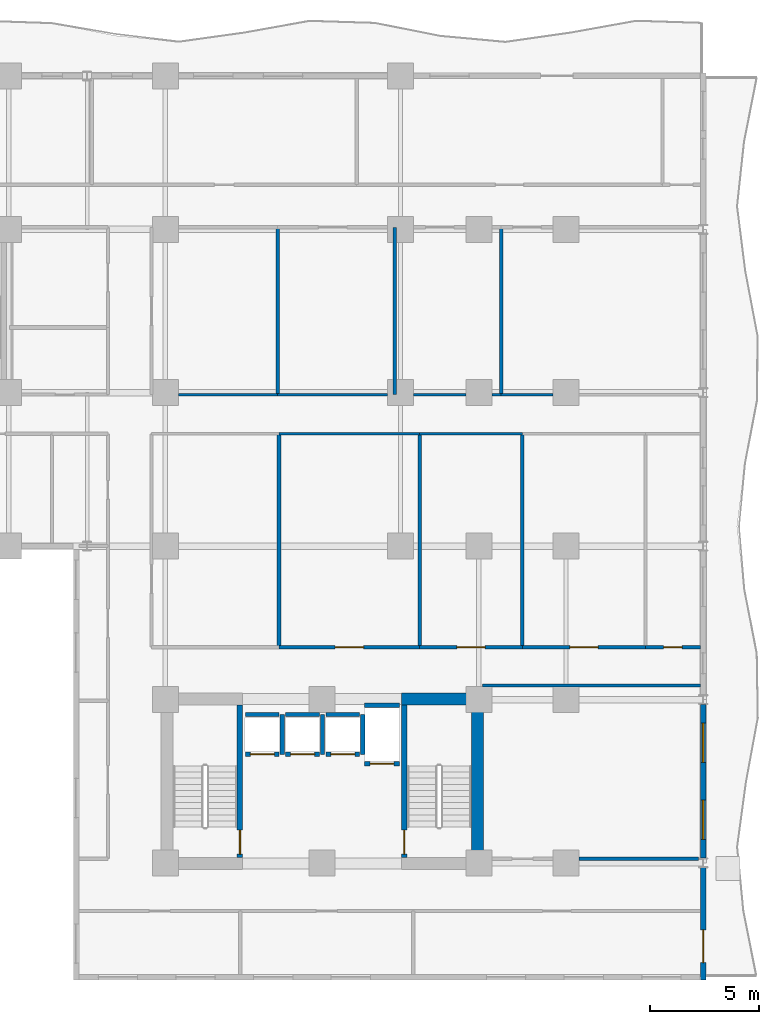
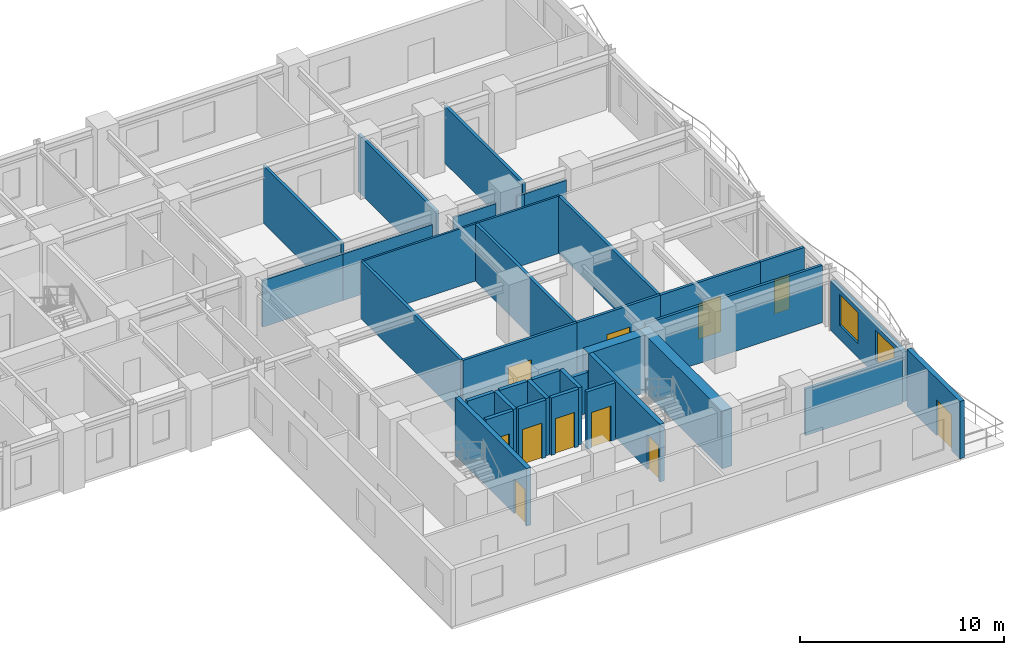
# One storey, part 5 of 11: 36 walls, 11 doors, 2 windows, 13 openings.
"""IFC4 building model written with IfcOpenShell, lengths in metres."""

from ifc_helpers import new_model, si_unit, direction, frame, frame_2d, origin, place, context, subcontext, project, spatial, rectangle, extrude, material, layer, layer_set, type_object, element, fill, save


model = new_model("IFC4")

# Units and contexts
model_context = context("Model", 3, precision=1e-05, world=origin(), true_north=direction((0.0, 1.0)))
body_context = subcontext(model_context, "Body", "Model", "MODEL_VIEW")
ifc_project = project(units=[si_unit("LENGTHUNIT", "METRE"), si_unit("AREAUNIT", "SQUARE_METRE"), si_unit("VOLUMEUNIT", "CUBIC_METRE"), si_unit("PLANEANGLEUNIT", "RADIAN"), si_unit("MASSUNIT", "GRAM", prefix="KILO")], contexts=[model_context])

# Site, building, storey
site_placement = place(None, origin())
site = spatial("IfcSite", under=ifc_project, at=site_placement, CompositionType="ELEMENT")
building_placement = place(site_placement, origin())
building = spatial("IfcBuilding", under=site, at=building_placement, Name="Kaliganga Portal Commons", CompositionType="ELEMENT")
storey_placement = place(building_placement, frame((0.0, 0.0, 100.800048828125)))
storey = spatial("IfcBuildingStorey", under=building, at=storey_placement, Name="L25", CompositionType="ELEMENT", Elevation=100.800048828125)

# Walls
ifc_material_1 = material(Name="Concrete C60/75", Category="concrete")
ifc_layer_1 = layer(ifc_material_1, 0.550048828125)
ifc_layer_set_1 = layer_set([ifc_layer_1], Name="Concrete C60/75")
wall_type_1 = type_object("IfcWallType", Name="WL-CORE-550", PredefinedType="SHEAR", material=ifc_layer_set_1)
wall_1_placement = place(storey_placement, frame((50.324951171875, 6.75, 0.0), z_axis=(0.0, 0.0, 1.0), x_axis=(0.0, 1.0, 0.0)))
element("IfcWall", 1, at=wall_1_placement, inside=storey, type_object=wall_type_1, Name="Core B East Shear Wall L25", PredefinedType="SHEAR", context=body_context, shape_type="SweptSolid", body=[
    extrude(rectangle(XDim=8.10009765625, YDim=0.550048828125, at=frame_2d((4.050048828125, 0.0))), origin(), (0.0, 0.0, 1.0), 3.449951171875),
])
wall_2_placement = place(storey_placement, frame((46.85009765625, 14.574951171875, 0.0), z_axis=(0.0, 0.0, 1.0), x_axis=(1.0, 0.0, 0.0)))
element("IfcWall", 2, at=wall_2_placement, inside=storey, type_object=wall_type_1, Name="Core B N-East Shear Wall L25", PredefinedType="SHEAR", context=body_context, shape_type="SweptSolid", body=[
    extrude(rectangle(XDim=3.199951171875, YDim=0.550048828125, at=frame_2d((1.60009765625, 0.0))), origin(), (0.0, 0.0, 1.0), 3.449951171875),
])

# Wall, opening, door
ifc_material_2 = material(Name="Insulated Aluminium-Clad Spandrel Assembly", Category="aluminium")
ifc_layer_2 = layer(ifc_material_2, 0.260009765625)
ifc_layer_set_2 = layer_set([ifc_layer_2], Name="Insulated Aluminium-Clad Spandrel Assembly")
wall_type_2 = type_object("IfcWallType", Name="WL-EXT-SPAND-260", PredefinedType="STANDARD", material=ifc_layer_set_2)
wall_3_placement = place(storey_placement, frame((60.699951171875, 6.833984375, 0.0), z_axis=(0.0, 0.0, 1.0), x_axis=(0.0, -1.0, 0.0)))
wall_3 = element("IfcWall", 3, at=wall_3_placement, inside=storey, type_object=wall_type_2, Name="Exterior Envelope Wall L25 P1-E01-S1", PredefinedType="STANDARD", context=body_context, shape_type="SweptSolid", body=[
    extrude(rectangle(XDim=5.1640625, YDim=0.260009765625, at=frame_2d((2.58203125, 0.0))), origin(), (0.0, 0.0, 1.0), 3.429931640625),
])
opening_1_placement = place(wall_3_placement, frame((2.864990234375, 0.0, 0.0)))
opening_1 = element("IfcOpeningElement", 4, at=opening_1_placement, cuts=wall_3, Name="Opening BD-01", PredefinedType="OPENING", context=body_context, shape_type="SweptSolid", body=[
    extrude(rectangle(XDim=1.5, YDim=2.14990234375, at=frame_2d((0.75, 1.074951171875))), frame((0.0, 0.14013671875, 0.0), z_axis=(0.0, -1.0, 0.0), x_axis=(1.0, 0.0, 0.0)), (0.0, 0.0, 1.0), 0.280029296875),
])
ifc_material_3 = material(Name="Anodized Aluminium and Laminated Safety Glass", Category="aluminium")
door_type_1 = type_object("IfcDoorType", Name="DR-BALC-1500", OperationType="SLIDING_TO_LEFT", PredefinedType="DOOR", material=ifc_material_3)
door_1_placement = place(opening_1_placement, origin())
door_1 = element("IfcDoor", 5, at=door_1_placement, inside=storey, type_object=door_type_1, Name="Balcony Sliding Door L25 balc_east", OperationType="SLIDING_TO_LEFT", OverallHeight=2.14990234375, OverallWidth=1.5, PredefinedType="DOOR", context=body_context, shape_type="SweptSolid", body=[
    extrude(rectangle(XDim=1.5, YDim=2.14990234375, at=frame_2d((0.75, 1.074951171875))), frame((0.0, 0.02490234375, 0.0), z_axis=(0.0, -1.0, 0.0), x_axis=(1.0, 0.0, 0.0)), (0.0, 0.0, 1.0), 0.050048828125),
])
fill(opening_1, door_1)

# Wall, openings, windows
wall_4_placement = place(storey_placement, frame((60.699951171875, 14.333984375, 0.0), z_axis=(0.0, 0.0, 1.0), x_axis=(0.0, -1.0, 0.0)))
wall_4 = element("IfcWall", 6, at=wall_4_placement, inside=storey, type_object=wall_type_2, Name="Exterior Envelope Wall L25 P1-E01-S2", PredefinedType="STANDARD", context=body_context, shape_type="SweptSolid", body=[
    extrude(rectangle(XDim=7.06787109375, YDim=0.260009765625, at=frame_2d((3.533935546875, 0.0))), origin(), (0.0, 0.0, 1.0), 2.97998046875),
])
opening_2_placement = place(wall_4_placement, frame((0.866943359375, 0.0, 0.85009765625)))
opening_2 = element("IfcOpeningElement", 7, at=opening_2_placement, cuts=wall_4, Name="Opening W-01", PredefinedType="OPENING", context=body_context, shape_type="SweptSolid", body=[
    extrude(rectangle(XDim=1.800048828125, YDim=1.85009765625, at=frame_2d((0.89990234375, 0.925048828125))), frame((0.0, 0.14013671875, 0.0), z_axis=(0.0, -1.0, 0.0), x_axis=(1.0, 0.0, 0.0)), (0.0, 0.0, 1.0), 0.280029296875),
])
opening_3_placement = place(wall_4_placement, frame((4.40087890625, 0.0, 0.85009765625)))
opening_3 = element("IfcOpeningElement", 8, at=opening_3_placement, cuts=wall_4, Name="Opening W-01", PredefinedType="OPENING", context=body_context, shape_type="SweptSolid", body=[
    extrude(rectangle(XDim=1.800048828125, YDim=1.85009765625, at=frame_2d((0.89990234375, 0.925048828125))), frame((0.0, 0.14013671875, 0.0), z_axis=(0.0, -1.0, 0.0), x_axis=(1.0, 0.0, 0.0)), (0.0, 0.0, 1.0), 0.280029296875),
])
ifc_material_4 = material(Name="Thermally Broken Aluminium and Low-E Double Glazing", Category="aluminium")
window_type = type_object("IfcWindowType", Name="WIN-STD-1800", PartitioningType="DOUBLE_PANEL_VERTICAL", PredefinedType="WINDOW", material=ifc_material_4)
window_1_placement = place(opening_2_placement, origin())
window_1 = element("IfcWindow", 9, at=window_1_placement, inside=storey, type_object=window_type, Name="Facade Window L25-P1E01S2-00", OverallHeight=1.85009765625, OverallWidth=1.800048828125, PartitioningType="SINGLE_PANEL", PredefinedType="WINDOW", context=body_context, shape_type="SweptSolid", body=[
    extrude(rectangle(XDim=1.800048828125, YDim=1.85009765625, at=frame_2d((0.89990234375, 0.925048828125))), frame((0.0, 0.030029296875, 0.0), z_axis=(0.0, -1.0, 0.0), x_axis=(1.0, 0.0, 0.0)), (0.0, 0.0, 1.0), 0.06005859375),
])
fill(opening_2, window_1)
window_2_placement = place(opening_3_placement, origin())
window_2 = element("IfcWindow", 10, at=window_2_placement, inside=storey, type_object=window_type, Name="Facade Window L25-P1E01S2-01", OverallHeight=1.85009765625, OverallWidth=1.800048828125, PartitioningType="SINGLE_PANEL", PredefinedType="WINDOW", context=body_context, shape_type="SweptSolid", body=[
    extrude(rectangle(XDim=1.800048828125, YDim=1.85009765625, at=frame_2d((0.89990234375, 0.925048828125))), frame((0.0, 0.030029296875, 0.0), z_axis=(0.0, -1.0, 0.0), x_axis=(1.0, 0.0, 0.0)), (0.0, 0.0, 1.0), 0.06005859375),
])
fill(opening_3, window_2)

# Walls
ifc_material_5 = material(Name="Fire-Rated Gypsum Board on Steel Stud", Category="steel")
ifc_layer_3 = layer(ifc_material_5, 0.14990234375)
ifc_layer_set_3 = layer_set([ifc_layer_3], Name="Fire-Rated Gypsum Board on Steel Stud")
wall_type_3 = type_object("IfcWallType", Name="WL-PART-CORR-150", PredefinedType="PARTITIONING", material=ifc_layer_set_3)
wall_5_placement = place(storey_placement, frame((55.0, 7.239990234375, 0.0), z_axis=(0.0, 0.0, 1.0), x_axis=(1.0, 0.0, 0.0)))
element("IfcWall", 11, at=wall_5_placement, inside=storey, type_object=wall_type_3, Name="Interior Partition L25-011", PredefinedType="PARTITIONING", context=body_context, shape_type="SweptSolid", body=[
    extrude(rectangle(XDim=5.49560546875, YDim=0.14990234375, at=frame_2d((2.747802734375, 0.0))), origin(), (0.0, 0.0, 1.0), 2.780029296875),
])
wall_6_placement = place(storey_placement, frame((50.56005859375, 15.199951171875, 0.0), z_axis=(0.0, 0.0, 1.0), x_axis=(1.0, 0.0, 0.0)))
element("IfcWall", 12, at=wall_6_placement, inside=storey, type_object=wall_type_3, Name="Interior Partition L25-012", PredefinedType="PARTITIONING", context=body_context, shape_type="SweptSolid", body=[
    extrude(rectangle(XDim=10.008056640625, YDim=0.14990234375, at=frame_2d((5.00390625, 0.0))), origin(), (0.0, 0.0, 1.0), 3.429931640625),
])

# Wall, opening, door
wall_7_placement = place(storey_placement, frame((41.219970703125, 16.9599609375, 0.0), z_axis=(0.0, 0.0, 1.0), x_axis=(1.0, 0.0, 0.0)))
wall_7 = element("IfcWall", 13, at=wall_7_placement, inside=storey, type_object=wall_type_3, Name="Interior Partition L25-024", PredefinedType="PARTITIONING", context=body_context, shape_type="SweptSolid", body=[
    extrude(rectangle(XDim=6.4599609375, YDim=0.14990234375, at=frame_2d((3.22998046875, 0.0))), origin(), (0.0, 0.0, 1.0), 3.429931640625),
])
opening_4_placement = place(wall_7_placement, frame((2.580078125, 0.0, 0.0)))
opening_4 = element("IfcOpeningElement", 14, at=opening_4_placement, cuts=wall_7, Name="Opening RD-03", PredefinedType="OPENING", context=body_context, shape_type="SweptSolid", body=[
    extrude(rectangle(XDim=1.300048828125, YDim=2.1201171875, at=frame_2d((0.64990234375, 1.06005859375))), frame((0.0, 0.0849609375, 0.0), z_axis=(0.0, -1.0, 0.0), x_axis=(1.0, 0.0, 0.0)), (0.0, 0.0, 1.0), 0.169921875),
])
ifc_material_6 = material(Name="Glazed Timber Seminar Vision Door", Category="wood")
door_type_2 = type_object("IfcDoorType", Name="DR-STUDY-1300", OperationType="DOUBLE_DOOR_SINGLE_SWING", PredefinedType="DOOR", material=ifc_material_6)
door_2_placement = place(opening_4_placement, origin())
door_2 = element("IfcDoor", 15, at=door_2_placement, inside=storey, type_object=door_type_2, Name="Interior Door L25-BM02", OperationType="DOUBLE_DOOR_SINGLE_SWING", OverallHeight=2.1201171875, OverallWidth=1.300048828125, PredefinedType="DOOR", context=body_context, shape_type="SweptSolid", body=[
    extrude(rectangle(XDim=1.300048828125, YDim=2.1201171875, at=frame_2d((0.64990234375, 1.06005859375))), frame((0.0, 0.02490234375, 0.0), z_axis=(0.0, -1.0, 0.0), x_axis=(1.0, 0.0, 0.0)), (0.0, 0.0, 1.0), 0.050048828125),
])
fill(opening_4, door_2)

wall_8_placement = place(storey_placement, frame((52.39990234375, 16.9599609375, 0.0), z_axis=(0.0, 0.0, 1.0), x_axis=(1.0, 0.0, 0.0)))
wall_8 = element("IfcWall", 16, at=wall_8_placement, inside=storey, type_object=wall_type_3, Name="Interior Partition L25-029", PredefinedType="PARTITIONING", context=body_context, shape_type="SweptSolid", body=[
    extrude(rectangle(XDim=5.66015625, YDim=0.14990234375, at=frame_2d((2.830078125, 0.0))), origin(), (0.0, 0.0, 1.0), 3.429931640625),
])
opening_5_placement = place(wall_8_placement, frame((2.179931640625, 0.0, 0.0)))
opening_5 = element("IfcOpeningElement", 17, at=opening_5_placement, cuts=wall_8, Name="Opening RD-03", PredefinedType="OPENING", context=body_context, shape_type="SweptSolid", body=[
    extrude(rectangle(XDim=1.300048828125, YDim=2.1201171875, at=frame_2d((0.64990234375, 1.06005859375))), frame((0.0, 0.0849609375, 0.0), z_axis=(0.0, -1.0, 0.0), x_axis=(1.0, 0.0, 0.0)), (0.0, 0.0, 1.0), 0.169921875),
])
door_3_placement = place(opening_5_placement, origin())
door_3 = element("IfcDoor", 18, at=door_3_placement, inside=storey, type_object=door_type_2, Name="Interior Door L25-BM03B", OperationType="DOUBLE_DOOR_SINGLE_SWING", OverallHeight=2.1201171875, OverallWidth=1.300048828125, PredefinedType="DOOR", context=body_context, shape_type="SweptSolid", body=[
    extrude(rectangle(XDim=1.300048828125, YDim=2.1201171875, at=frame_2d((0.64990234375, 1.06005859375))), frame((0.0, 0.02490234375, 0.0), z_axis=(0.0, -1.0, 0.0), x_axis=(1.0, 0.0, 0.0)), (0.0, 0.0, 1.0), 0.050048828125),
])
fill(opening_5, door_3)

wall_9_placement = place(storey_placement, frame((47.679931640625, 16.9599609375, 0.0), z_axis=(0.0, 0.0, 1.0), x_axis=(1.0, 0.0, 0.0)))
wall_9 = element("IfcWall", 19, at=wall_9_placement, inside=storey, type_object=wall_type_3, Name="Interior Partition L25-035", PredefinedType="PARTITIONING", context=body_context, shape_type="SweptSolid", body=[
    extrude(rectangle(XDim=4.719970703125, YDim=0.14990234375, at=frame_2d((2.35986328125, 0.0))), origin(), (0.0, 0.0, 1.0), 3.429931640625),
])
opening_6_placement = place(wall_9_placement, frame((1.7099609375, 0.0, 0.0)))
opening_6 = element("IfcOpeningElement", 20, at=opening_6_placement, cuts=wall_9, Name="Opening RD-03", PredefinedType="OPENING", context=body_context, shape_type="SweptSolid", body=[
    extrude(rectangle(XDim=1.300048828125, YDim=2.1201171875, at=frame_2d((0.64990234375, 1.06005859375))), frame((0.0, 0.0849609375, 0.0), z_axis=(0.0, -1.0, 0.0), x_axis=(1.0, 0.0, 0.0)), (0.0, 0.0, 1.0), 0.169921875),
])
door_4_placement = place(opening_6_placement, origin())
door_4 = element("IfcDoor", 21, at=door_4_placement, inside=storey, type_object=door_type_2, Name="Interior Door L25-BM03", OperationType="DOUBLE_DOOR_SINGLE_SWING", OverallHeight=2.1201171875, OverallWidth=1.300048828125, PredefinedType="DOOR", context=body_context, shape_type="SweptSolid", body=[
    extrude(rectangle(XDim=1.300048828125, YDim=2.1201171875, at=frame_2d((0.64990234375, 1.06005859375))), frame((0.0, 0.02490234375, 0.0), z_axis=(0.0, -1.0, 0.0), x_axis=(1.0, 0.0, 0.0)), (0.0, 0.0, 1.0), 0.050048828125),
])
fill(opening_6, door_4)

wall_10_placement = place(storey_placement, frame((58.06005859375, 16.9599609375, 0.0), z_axis=(0.0, 0.0, 1.0), x_axis=(1.0, 0.0, 0.0)))
wall_10 = element("IfcWall", 22, at=wall_10_placement, inside=storey, type_object=wall_type_3, Name="Interior Partition L25-042", PredefinedType="PARTITIONING", context=body_context, shape_type="SweptSolid", body=[
    extrude(rectangle(XDim=2.508056640625, YDim=0.14990234375, at=frame_2d((1.25390625, 0.0))), origin(), (0.0, 0.0, 1.0), 3.429931640625),
])
opening_7_placement = place(wall_10_placement, frame((0.8291015625, 0.0, 0.0)))
opening_7 = element("IfcOpeningElement", 23, at=opening_7_placement, cuts=wall_10, Name="Opening WD-01", PredefinedType="OPENING", context=body_context, shape_type="SweptSolid", body=[
    extrude(rectangle(XDim=0.85009765625, YDim=2.0400390625, at=frame_2d((0.425048828125, 1.02001953125))), frame((0.0, 0.0849609375, 0.0), z_axis=(0.0, -1.0, 0.0), x_axis=(1.0, 0.0, 0.0)), (0.0, 0.0, 1.0), 0.169921875),
])
ifc_material_7 = material(Name="Moisture-Resistant Laminate Timber Door", Category="wood")
door_type_3 = type_object("IfcDoorType", Name="DR-WET-850", OperationType="NOTDEFINED", PredefinedType="DOOR", material=ifc_material_7)
door_5_placement = place(opening_7_placement, origin())
door_5 = element("IfcDoor", 24, at=door_5_placement, inside=storey, type_object=door_type_3, Name="Interior Door L25-BM04", OperationType="SINGLE_SWING_RIGHT", OverallHeight=2.0400390625, OverallWidth=0.85009765625, PredefinedType="DOOR", context=body_context, shape_type="SweptSolid", body=[
    extrude(rectangle(XDim=0.85009765625, YDim=2.0400390625, at=frame_2d((0.425048828125, 1.02001953125))), frame((0.0, 0.02490234375, 0.0), z_axis=(0.0, -1.0, 0.0), x_axis=(1.0, 0.0, 0.0)), (0.0, 0.0, 1.0), 0.050048828125),
])
fill(opening_7, door_5)

# Walls
ifc_material_8 = material(Name="Moisture-Resistant Gypsum Partition", Category="gypsum")
ifc_layer_4 = layer(ifc_material_8, 0.114990234375)
ifc_layer_set_4 = layer_set([ifc_layer_4], Name="Moisture-Resistant Gypsum Partition")
wall_type_4 = type_object("IfcWallType", Name="WL-PART-ROOM-115", PredefinedType="PARTITIONING", material=ifc_layer_set_4)
wall_11_placement = place(storey_placement, frame((51.419921875, 28.56005859375, 0.0), z_axis=(0.0, 0.0, 1.0), x_axis=(1.0, 0.0, 0.0)))
element("IfcWall", 25, at=wall_11_placement, inside=storey, type_object=wall_type_4, Name="Interior Partition L25-052", PredefinedType="PARTITIONING", context=body_context, shape_type="SweptSolid", body=[
    extrude(rectangle(XDim=2.380126953125, YDim=0.114990234375, at=frame_2d((1.18994140625, 0.0))), origin(), (0.0, 0.0, 1.0), 2.780029296875),
])
wall_12_placement = place(storey_placement, frame((41.219970703125, 26.760009765625, 0.0), z_axis=(0.0, 0.0, 1.0), x_axis=(1.0, 0.0, 0.0)))
element("IfcWall", 26, at=wall_12_placement, inside=storey, type_object=wall_type_4, Name="Interior Partition L25-057", PredefinedType="PARTITIONING", context=body_context, shape_type="SweptSolid", body=[
    extrude(rectangle(XDim=6.4599609375, YDim=0.114990234375, at=frame_2d((3.22998046875, 0.0))), origin(), (0.0, 0.0, 1.0), 3.429931640625),
])
wall_13_placement = place(storey_placement, frame((36.60009765625, 28.56005859375, 0.0), z_axis=(0.0, 0.0, 1.0), x_axis=(1.0, 0.0, 0.0)))
element("IfcWall", 27, at=wall_13_placement, inside=storey, type_object=wall_type_4, Name="Interior Partition L25-059", PredefinedType="PARTITIONING", context=body_context, shape_type="SweptSolid", body=[
    extrude(rectangle(XDim=4.559814453125, YDim=0.114990234375, at=frame_2d((2.27978515625, 0.0))), origin(), (0.0, 0.0, 1.0), 2.780029296875),
])
wall_14_placement = place(storey_placement, frame((41.159912109375, 28.56005859375, 0.0), z_axis=(0.0, 0.0, 1.0), x_axis=(1.0, 0.0, 0.0)))
element("IfcWall", 28, at=wall_14_placement, inside=storey, type_object=wall_type_4, Name="Interior Partition L25-061", PredefinedType="PARTITIONING", context=body_context, shape_type="SweptSolid", body=[
    extrude(rectangle(XDim=5.0400390625, YDim=0.114990234375, at=frame_2d((2.52001953125, 0.0))), origin(), (0.0, 0.0, 1.0), 2.780029296875),
])
wall_15_placement = place(storey_placement, frame((47.39990234375, 28.56005859375, 0.0), z_axis=(0.0, 0.0, 1.0), x_axis=(1.0, 0.0, 0.0)))
element("IfcWall", 29, at=wall_15_placement, inside=storey, type_object=wall_type_4, Name="Interior Partition L25-070", PredefinedType="PARTITIONING", context=body_context, shape_type="SweptSolid", body=[
    extrude(rectangle(XDim=2.400146484375, YDim=0.114990234375, at=frame_2d((1.2001953125, 0.0))), origin(), (0.0, 0.0, 1.0), 2.780029296875),
])
wall_16_placement = place(storey_placement, frame((51.0, 28.56005859375, 0.0), z_axis=(0.0, 0.0, 1.0), x_axis=(1.0, 0.0, 0.0)))
element("IfcWall", 30, at=wall_16_placement, inside=storey, type_object=wall_type_4, Name="Interior Partition L25-071", PredefinedType="PARTITIONING", context=body_context, shape_type="SweptSolid", body=[
    extrude(rectangle(XDim=0.419921875, YDim=0.114990234375, at=frame_2d((0.2099609375, 0.0))), origin(), (0.0, 0.0, 1.0), 2.780029296875),
])
wall_17_placement = place(storey_placement, frame((47.679931640625, 26.760009765625, 0.0), z_axis=(0.0, 0.0, 1.0), x_axis=(1.0, 0.0, 0.0)))
element("IfcWall", 31, at=wall_17_placement, inside=storey, type_object=wall_type_4, Name="Interior Partition L25-072", PredefinedType="PARTITIONING", context=body_context, shape_type="SweptSolid", body=[
    extrude(rectangle(XDim=4.719970703125, YDim=0.114990234375, at=frame_2d((2.35986328125, 0.0))), origin(), (0.0, 0.0, 1.0), 3.429931640625),
])
ifc_material_9 = material(Name="Twin-Stud Acoustic Gypsum Partition", Category="gypsum")
ifc_layer_5 = layer(ifc_material_9, 0.1650390625)
ifc_layer_set_5 = layer_set([ifc_layer_5], Name="Twin-Stud Acoustic Gypsum Partition")
wall_type_5 = type_object("IfcWallType", Name="WL-PART-UNIT-165", PredefinedType="PARTITIONING", material=ifc_layer_set_5)
for number, where, z_axis, x_axis, name in (
    (32, (41.219970703125, 16.9599609375, 0.0), (0.0, 0.0, 1.0), (0.0, 1.0, 0.0), "Interior Partition L25-048"),
    (33, (47.679931640625, 16.9599609375, 0.0), (0.0, 0.0, 1.0), (0.0, 1.0, 0.0), "Interior Partition L25-049"),
    (34, (52.39990234375, 16.9599609375, 0.0), (0.0, 0.0, 1.0), (0.0, 1.0, 0.0), "Interior Partition L25-050"),
):
    element("IfcWall", number, at=place(storey_placement, frame(where, z_axis=z_axis, x_axis=x_axis)), inside=storey, type_object=wall_type_5, Name=name, PredefinedType="PARTITIONING", context=body_context, shape_type="SweptSolid", body=[
        extrude(rectangle(XDim=9.800048828125, YDim=0.1650390625, at=frame_2d((4.89990234375, 0.0))), origin(), (0.0, 0.0, 1.0), 3.429931640625),
    ])
for number, where, z_axis, x_axis, name in (
    (35, (41.159912109375, 28.56005859375, 0.0), (0.0, 0.0, 1.0), (0.0, 1.0, 0.0), "Interior Partition L25-054"),
    (36, (46.5400390625, 28.56005859375, 0.0), (0.0, 0.0, 1.0), (0.0, 1.0, 0.0), "Interior Partition L25-055"),
    (37, (51.419921875, 28.56005859375, 0.0), (0.0, 0.0, 1.0), (0.0, 1.0, 0.0), "Interior Partition L25-056"),
):
    element("IfcWall", number, at=place(storey_placement, frame(where, z_axis=z_axis, x_axis=x_axis)), inside=storey, type_object=wall_type_5, Name=name, PredefinedType="PARTITIONING", context=body_context, shape_type="SweptSolid", body=[
        extrude(rectangle(XDim=7.679931640625, YDim=0.1650390625, at=frame_2d((3.83984375, 0.0))), origin(), (0.0, 0.0, 1.0), 3.429931640625),
    ])

# Wall, opening, door
ifc_material_10 = material(Name="Fire-Rated Shaftwall Masonry Assembly", Category="masonry")
ifc_layer_6 = layer(ifc_material_10, 0.199951171875)
ifc_layer_set_6 = layer_set([ifc_layer_6], Name="Fire-Rated Shaftwall Masonry Assembly")
wall_type_6 = type_object("IfcWallType", Name="WL-SHAFT-200", PredefinedType="PARTITIONING", material=ifc_layer_set_6)
wall_18_placement = place(storey_placement, frame((39.675048828125, 12.034912109375, 0.0), z_axis=(0.0, 0.0, 1.0), x_axis=(1.0, 0.0, 0.0)))
wall_18 = element("IfcWall", 38, at=wall_18_placement, inside=storey, type_object=wall_type_6, Name="Lift PL-B1 Hoistway Shaft Wall L25-S", PredefinedType="PARTITIONING", context=body_context, shape_type="SweptSolid", body=[
    extrude(rectangle(XDim=1.550048828125, YDim=0.199951171875, at=frame_2d((0.77490234375, 0.0))), origin(), (0.0, 0.0, 1.0), 3.429931640625),
])
opening_8_placement = place(wall_18_placement, frame((0.22509765625, 0.0, 0.0)))
opening_8 = element("IfcOpeningElement", 39, at=opening_8_placement, cuts=wall_18, Name="Opening LD-01", PredefinedType="OPENING", context=body_context, shape_type="SweptSolid", body=[
    extrude(rectangle(XDim=1.10009765625, YDim=2.1201171875, at=frame_2d((0.550048828125, 1.06005859375))), frame((0.0, 0.10986328125, 0.0), z_axis=(0.0, -1.0, 0.0), x_axis=(1.0, 0.0, 0.0)), (0.0, 0.0, 1.0), 0.219970703125),
])
ifc_material_11 = material(Name="Brushed Stainless Steel 316 Lift Landing Door", Category="steel")
door_type_4 = type_object("IfcDoorType", Name="DR-LIFT-1100", OperationType="SLIDING_TO_LEFT", PredefinedType="DOOR", material=ifc_material_11)
door_6_placement = place(opening_8_placement, origin())
door_6 = element("IfcDoor", 40, at=door_6_placement, inside=storey, type_object=door_type_4, Name="Lift PL-B1 Sliding Landing Door L25", OperationType="SLIDING_TO_LEFT", OverallHeight=2.1201171875, OverallWidth=1.10009765625, PredefinedType="DOOR", context=body_context, shape_type="SweptSolid", body=[
    extrude(rectangle(XDim=1.10009765625, YDim=2.1201171875, at=frame_2d((0.550048828125, 1.06005859375))), frame((0.0, 0.02490234375, 0.0), z_axis=(0.0, -1.0, 0.0), x_axis=(1.0, 0.0, 0.0)), (0.0, 0.0, 1.0), 0.050048828125),
])
fill(opening_8, door_6)

# Walls
wall_19_placement = place(storey_placement, frame((39.675048828125, 13.864990234375, 0.0), z_axis=(0.0, 0.0, 1.0), x_axis=(1.0, 0.0, 0.0)))
element("IfcWall", 41, at=wall_19_placement, inside=storey, type_object=wall_type_6, Name="Lift PL-B1 Hoistway Shaft Wall L25-N", PredefinedType="PARTITIONING", context=body_context, shape_type="SweptSolid", body=[
    extrude(rectangle(XDim=1.550048828125, YDim=0.199951171875, at=frame_2d((0.77490234375, 0.0))), origin(), (0.0, 0.0, 1.0), 3.429931640625),
])
wall_20_placement = place(storey_placement, frame((41.364990234375, 12.034912109375, 0.0), z_axis=(0.0, 0.0, 1.0), x_axis=(0.0, 1.0, 0.0)))
element("IfcWall", 42, at=wall_20_placement, inside=storey, type_object=wall_type_6, Name="Lift PL-B1 Hoistway Shaft Wall L25-E", PredefinedType="PARTITIONING", context=body_context, shape_type="SweptSolid", body=[
    extrude(rectangle(XDim=1.830078125, YDim=0.199951171875, at=frame_2d((0.9150390625, 0.0))), origin(), (0.0, 0.0, 1.0), 3.429931640625),
])

# Wall, opening, door
wall_21_placement = place(storey_placement, frame((41.52490234375, 12.034912109375, 0.0), z_axis=(0.0, 0.0, 1.0), x_axis=(1.0, 0.0, 0.0)))
wall_21 = element("IfcWall", 43, at=wall_21_placement, inside=storey, type_object=wall_type_6, Name="Lift PL-B2 Hoistway Shaft Wall L25-S", PredefinedType="PARTITIONING", context=body_context, shape_type="SweptSolid", body=[
    extrude(rectangle(XDim=1.550048828125, YDim=0.199951171875, at=frame_2d((0.77490234375, 0.0))), origin(), (0.0, 0.0, 1.0), 3.429931640625),
])
opening_9_placement = place(wall_21_placement, frame((0.22509765625, 0.0, 0.0)))
opening_9 = element("IfcOpeningElement", 44, at=opening_9_placement, cuts=wall_21, Name="Opening LD-01", PredefinedType="OPENING", context=body_context, shape_type="SweptSolid", body=[
    extrude(rectangle(XDim=1.10009765625, YDim=2.1201171875, at=frame_2d((0.550048828125, 1.06005859375))), frame((0.0, 0.10986328125, 0.0), z_axis=(0.0, -1.0, 0.0), x_axis=(1.0, 0.0, 0.0)), (0.0, 0.0, 1.0), 0.219970703125),
])
door_7_placement = place(opening_9_placement, origin())
door_7 = element("IfcDoor", 45, at=door_7_placement, inside=storey, type_object=door_type_4, Name="Lift PL-B2 Sliding Landing Door L25", OperationType="SLIDING_TO_LEFT", OverallHeight=2.1201171875, OverallWidth=1.10009765625, PredefinedType="DOOR", context=body_context, shape_type="SweptSolid", body=[
    extrude(rectangle(XDim=1.10009765625, YDim=2.1201171875, at=frame_2d((0.550048828125, 1.06005859375))), frame((0.0, 0.02490234375, 0.0), z_axis=(0.0, -1.0, 0.0), x_axis=(1.0, 0.0, 0.0)), (0.0, 0.0, 1.0), 0.050048828125),
])
fill(opening_9, door_7)

# Walls
wall_22_placement = place(storey_placement, frame((41.52490234375, 13.864990234375, 0.0), z_axis=(0.0, 0.0, 1.0), x_axis=(1.0, 0.0, 0.0)))
element("IfcWall", 46, at=wall_22_placement, inside=storey, type_object=wall_type_6, Name="Lift PL-B2 Hoistway Shaft Wall L25-N", PredefinedType="PARTITIONING", context=body_context, shape_type="SweptSolid", body=[
    extrude(rectangle(XDim=1.550048828125, YDim=0.199951171875, at=frame_2d((0.77490234375, 0.0))), origin(), (0.0, 0.0, 1.0), 3.429931640625),
])
wall_23_placement = place(storey_placement, frame((43.215087890625, 12.034912109375, 0.0), z_axis=(0.0, 0.0, 1.0), x_axis=(0.0, 1.0, 0.0)))
element("IfcWall", 47, at=wall_23_placement, inside=storey, type_object=wall_type_6, Name="Lift PL-B2 Hoistway Shaft Wall L25-E", PredefinedType="PARTITIONING", context=body_context, shape_type="SweptSolid", body=[
    extrude(rectangle(XDim=1.830078125, YDim=0.199951171875, at=frame_2d((0.9150390625, 0.0))), origin(), (0.0, 0.0, 1.0), 3.429931640625),
])

# Wall, opening, door
wall_24_placement = place(storey_placement, frame((43.375, 12.034912109375, 0.0), z_axis=(0.0, 0.0, 1.0), x_axis=(1.0, 0.0, 0.0)))
wall_24 = element("IfcWall", 48, at=wall_24_placement, inside=storey, type_object=wall_type_6, Name="Lift SH-2 Hoistway Shaft Wall L25-S", PredefinedType="PARTITIONING", context=body_context, shape_type="SweptSolid", body=[
    extrude(rectangle(XDim=1.550048828125, YDim=0.199951171875, at=frame_2d((0.77490234375, 0.0))), origin(), (0.0, 0.0, 1.0), 3.429931640625),
])
opening_10_placement = place(wall_24_placement, frame((0.22509765625, 0.0, 0.0)))
opening_10 = element("IfcOpeningElement", 49, at=opening_10_placement, cuts=wall_24, Name="Opening LD-01", PredefinedType="OPENING", context=body_context, shape_type="SweptSolid", body=[
    extrude(rectangle(XDim=1.10009765625, YDim=2.1201171875, at=frame_2d((0.550048828125, 1.06005859375))), frame((0.0, 0.10986328125, 0.0), z_axis=(0.0, -1.0, 0.0), x_axis=(1.0, 0.0, 0.0)), (0.0, 0.0, 1.0), 0.219970703125),
])
door_8_placement = place(opening_10_placement, origin())
door_8 = element("IfcDoor", 50, at=door_8_placement, inside=storey, type_object=door_type_4, Name="Lift SH-2 Sliding Landing Door L25", OperationType="SLIDING_TO_LEFT", OverallHeight=2.1201171875, OverallWidth=1.10009765625, PredefinedType="DOOR", context=body_context, shape_type="SweptSolid", body=[
    extrude(rectangle(XDim=1.10009765625, YDim=2.1201171875, at=frame_2d((0.550048828125, 1.06005859375))), frame((0.0, 0.02490234375, 0.0), z_axis=(0.0, -1.0, 0.0), x_axis=(1.0, 0.0, 0.0)), (0.0, 0.0, 1.0), 0.050048828125),
])
fill(opening_10, door_8)

# Walls
wall_25_placement = place(storey_placement, frame((43.375, 13.864990234375, 0.0), z_axis=(0.0, 0.0, 1.0), x_axis=(1.0, 0.0, 0.0)))
element("IfcWall", 51, at=wall_25_placement, inside=storey, type_object=wall_type_6, Name="Lift SH-2 Hoistway Shaft Wall L25-N", PredefinedType="PARTITIONING", context=body_context, shape_type="SweptSolid", body=[
    extrude(rectangle(XDim=1.550048828125, YDim=0.199951171875, at=frame_2d((0.77490234375, 0.0))), origin(), (0.0, 0.0, 1.0), 3.429931640625),
])
wall_26_placement = place(storey_placement, frame((45.06494140625, 12.034912109375, 0.0), z_axis=(0.0, 0.0, 1.0), x_axis=(0.0, 1.0, 0.0)))
element("IfcWall", 52, at=wall_26_placement, inside=storey, type_object=wall_type_6, Name="Lift SH-2 Hoistway Shaft Wall L25-E", PredefinedType="PARTITIONING", context=body_context, shape_type="SweptSolid", body=[
    extrude(rectangle(XDim=1.830078125, YDim=0.199951171875, at=frame_2d((0.9150390625, 0.0))), origin(), (0.0, 0.0, 1.0), 3.429931640625),
])

# Wall, opening, door
wall_27_placement = place(storey_placement, frame((45.14990234375, 11.610107421875, 0.0), z_axis=(0.0, 0.0, 1.0), x_axis=(1.0, 0.0, 0.0)))
wall_27 = element("IfcWall", 53, at=wall_27_placement, inside=storey, type_object=wall_type_6, Name="Lift SL-B1 Hoistway Shaft Wall L25-S", PredefinedType="PARTITIONING", context=body_context, shape_type="SweptSolid", body=[
    extrude(rectangle(XDim=1.60009765625, YDim=0.199951171875, at=frame_2d((0.800048828125, 0.0))), origin(), (0.0, 0.0, 1.0), 3.429931640625),
])
opening_11_placement = place(wall_27_placement, frame((0.25, 0.0, 0.0)))
opening_11 = element("IfcOpeningElement", 54, at=opening_11_placement, cuts=wall_27, Name="Opening LD-01", PredefinedType="OPENING", context=body_context, shape_type="SweptSolid", body=[
    extrude(rectangle(XDim=1.10009765625, YDim=2.1201171875, at=frame_2d((0.550048828125, 1.06005859375))), frame((0.0, 0.10986328125, 0.0), z_axis=(0.0, -1.0, 0.0), x_axis=(1.0, 0.0, 0.0)), (0.0, 0.0, 1.0), 0.219970703125),
])
door_9_placement = place(opening_11_placement, origin())
door_9 = element("IfcDoor", 55, at=door_9_placement, inside=storey, type_object=door_type_4, Name="Lift SL-B1 Sliding Landing Door L25", OperationType="SLIDING_TO_LEFT", OverallHeight=2.1201171875, OverallWidth=1.10009765625, PredefinedType="DOOR", context=body_context, shape_type="SweptSolid", body=[
    extrude(rectangle(XDim=1.10009765625, YDim=2.1201171875, at=frame_2d((0.550048828125, 1.06005859375))), frame((0.0, 0.02490234375, 0.0), z_axis=(0.0, -1.0, 0.0), x_axis=(1.0, 0.0, 0.0)), (0.0, 0.0, 1.0), 0.050048828125),
])
fill(opening_11, door_9)

# Wall
wall_28_placement = place(storey_placement, frame((45.14990234375, 14.2900390625, 0.0), z_axis=(0.0, 0.0, 1.0), x_axis=(1.0, 0.0, 0.0)))
element("IfcWall", 56, at=wall_28_placement, inside=storey, type_object=wall_type_6, Name="Lift SL-B1 Hoistway Shaft Wall L25-N", PredefinedType="PARTITIONING", context=body_context, shape_type="SweptSolid", body=[
    extrude(rectangle(XDim=1.60009765625, YDim=0.199951171875, at=frame_2d((0.800048828125, 0.0))), origin(), (0.0, 0.0, 1.0), 2.429931640625),
])

# Wall, opening, door
ifc_material_12 = material(Name="Concrete C50/60", Category="concrete")
ifc_layer_7 = layer(ifc_material_12, 0.25)
ifc_layer_set_7 = layer_set([ifc_layer_7], Name="Concrete C50/60")
wall_type_7 = type_object("IfcWallType", Name="WL-STAIR-250", PredefinedType="SHEAR", material=ifc_layer_set_7)
wall_29_placement = place(storey_placement, frame((39.425048828125, 7.300048828125, 0.0), z_axis=(0.0, 0.0, 1.0), x_axis=(0.0, 1.0, 0.0)))
wall_29 = element("IfcWall", 57, at=wall_29_placement, inside=storey, type_object=wall_type_7, Name="Stair B1 Enclosure Shear Wall L25", PredefinedType="SHEAR", context=body_context, shape_type="SweptSolid", body=[
    extrude(rectangle(XDim=7.0, YDim=0.25, at=frame_2d((3.5, 0.0))), origin(), (0.0, 0.0, 1.0), 3.449951171875),
])
opening_12_placement = place(wall_29_placement, frame((0.14990234375, 0.0, 0.0)))
opening_12 = element("IfcOpeningElement", 58, at=opening_12_placement, cuts=wall_29, Name="Opening SD-01", PredefinedType="OPENING", context=body_context, shape_type="SweptSolid", body=[
    extrude(rectangle(XDim=1.10009765625, YDim=2.080078125, at=frame_2d((0.550048828125, 1.0400390625))), frame((0.0, 0.135009765625, 0.0), z_axis=(0.0, -1.0, 0.0), x_axis=(1.0, 0.0, 0.0)), (0.0, 0.0, 1.0), 0.27001953125),
])
ifc_material_13 = material(Name="Galvanized Steel Fire Door Leaf and Frame", Category="steel")
door_type_5 = type_object("IfcDoorType", Name="DR-STAIR-1100", OperationType="NOTDEFINED", PredefinedType="DOOR", material=ifc_material_13)
door_10_placement = place(opening_12_placement, origin())
door_10 = element("IfcDoor", 59, at=door_10_placement, inside=storey, type_object=door_type_5, Name="Protected Stair ST-B1 Fire Door L25", OperationType="SINGLE_SWING_LEFT", OverallHeight=2.080078125, OverallWidth=1.10009765625, PredefinedType="DOOR", context=body_context, shape_type="SweptSolid", body=[
    extrude(rectangle(XDim=1.10009765625, YDim=2.080078125, at=frame_2d((0.550048828125, 1.0400390625))), frame((0.0, 0.02490234375, 0.0), z_axis=(0.0, -1.0, 0.0), x_axis=(1.0, 0.0, 0.0)), (0.0, 0.0, 1.0), 0.050048828125),
])
fill(opening_12, door_10)

wall_30_placement = place(storey_placement, frame((46.97509765625, 7.300048828125, 0.0), z_axis=(0.0, 0.0, 1.0), x_axis=(0.0, 1.0, 0.0)))
wall_30 = element("IfcWall", 60, at=wall_30_placement, inside=storey, type_object=wall_type_7, Name="Stair B2 Enclosure Shear Wall L25", PredefinedType="SHEAR", context=body_context, shape_type="SweptSolid", body=[
    extrude(rectangle(XDim=7.0, YDim=0.25, at=frame_2d((3.5, 0.0))), origin(), (0.0, 0.0, 1.0), 3.449951171875),
])
opening_13_placement = place(wall_30_placement, frame((0.14990234375, 0.0, 0.0)))
opening_13 = element("IfcOpeningElement", 61, at=opening_13_placement, cuts=wall_30, Name="Opening SD-01", PredefinedType="OPENING", context=body_context, shape_type="SweptSolid", body=[
    extrude(rectangle(XDim=1.10009765625, YDim=2.080078125, at=frame_2d((0.550048828125, 1.0400390625))), frame((0.0, 0.135009765625, 0.0), z_axis=(0.0, -1.0, 0.0), x_axis=(1.0, 0.0, 0.0)), (0.0, 0.0, 1.0), 0.27001953125),
])
door_11_placement = place(opening_13_placement, origin())
door_11 = element("IfcDoor", 62, at=door_11_placement, inside=storey, type_object=door_type_5, Name="Protected Stair ST-B2 Fire Door L25", OperationType="SINGLE_SWING_RIGHT", OverallHeight=2.080078125, OverallWidth=1.10009765625, PredefinedType="DOOR", context=body_context, shape_type="SweptSolid", body=[
    extrude(rectangle(XDim=1.10009765625, YDim=2.080078125, at=frame_2d((0.550048828125, 1.0400390625))), frame((0.0, 0.02490234375, 0.0), z_axis=(0.0, -1.0, 0.0), x_axis=(1.0, 0.0, 0.0)), (0.0, 0.0, 1.0), 0.050048828125),
])
fill(opening_13, door_11)

save(model, "model.ifc")
